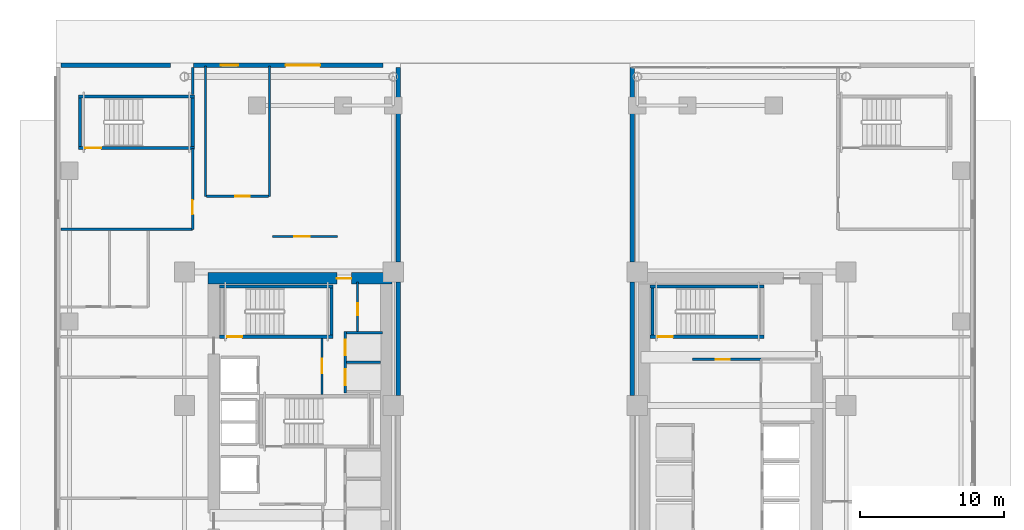
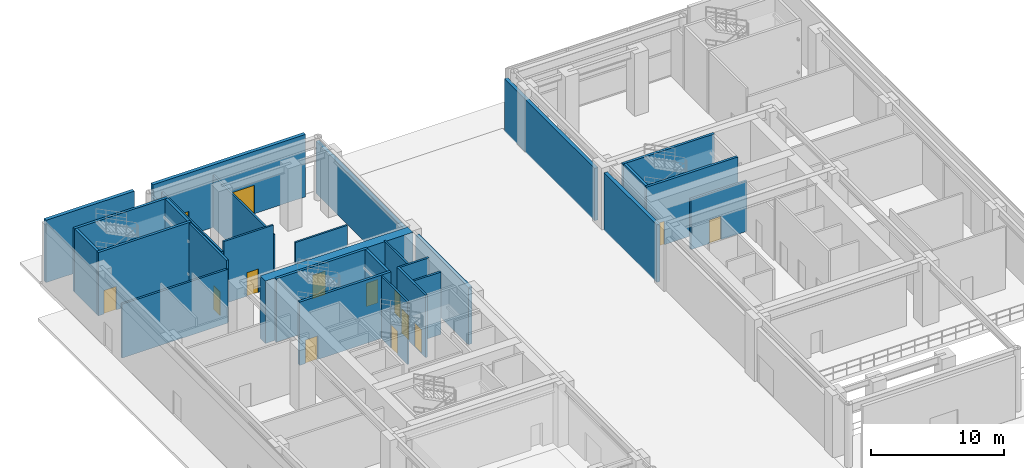
# One storey, part 7 of 17: 30 walls, 14 doors, 14 openings.
"""IFC4 building model written with IfcOpenShell, lengths in metres."""

from ifc_helpers import new_model, si_unit, direction, frame, frame_2d, origin, place, context, subcontext, project, spatial, rectangle, extrude, source, transform, mapped, material, layer, layer_set, type_object, element, fill, save


model = new_model("IFC4")

# Units and contexts
model_context = context("Model", 3, precision=1e-05, world=origin(), true_north=direction((0.0, 1.0)))
body_context = subcontext(model_context, "Body", "Model", "MODEL_VIEW")
ifc_project = project(units=[si_unit("LENGTHUNIT", "METRE"), si_unit("AREAUNIT", "SQUARE_METRE"), si_unit("VOLUMEUNIT", "CUBIC_METRE"), si_unit("PLANEANGLEUNIT", "RADIAN"), si_unit("MASSUNIT", "GRAM", prefix="KILO")], contexts=[model_context])

# Site, building, storey
site_placement = place(None, origin())
site = spatial("IfcSite", under=ifc_project, at=site_placement, CompositionType="ELEMENT")
building_placement = place(site_placement, origin())
building = spatial("IfcBuilding", under=site, at=building_placement, Name="Ocotamira Hotel", CompositionType="ELEMENT")
storey_placement = place(building_placement, origin())
storey = spatial("IfcBuildingStorey", under=building, at=storey_placement, Name="L01", CompositionType="ELEMENT", Elevation=0.0)

# Wall, opening, door
ifc_material_1 = material(Name="Concrete C60/75", Category="concrete")
ifc_layer_1 = layer(ifc_material_1, 0.800048828125)
ifc_layer_set_1 = layer_set([ifc_layer_1], Name="Concrete C60/75")
wall_type_1 = type_object("IfcWallType", Name="WL-CORE-800", PredefinedType="SHEAR", material=ifc_layer_set_1)
wall_1_placement = place(storey_placement, frame((10.60009765625, 37.0, 0.0), z_axis=(0.0, 0.0, 1.0), x_axis=(1.0, 0.0, 0.0)))
wall_1 = element("IfcWall", 1, at=wall_1_placement, inside=storey, type_object=wall_type_1, Name="L01 Shear Core Wall WCORE-N", PredefinedType="SHEAR", context=body_context, shape_type="SweptSolid", body=[
    extrude(rectangle(XDim=12.7998046875, YDim=0.800048828125, at=frame_2d((6.39990234375, 0.0))), origin(), (0.0, 0.0, 1.0), 5.7099609375),
])
opening_1_placement = place(wall_1_placement, frame((8.97998046875, 0.0, 0.0)))
opening_1 = element("IfcOpeningElement", 2, at=opening_1_placement, cuts=wall_1, Name="Opening D-FR2", PredefinedType="OPENING", context=body_context, shape_type="SweptSolid", body=[
    extrude(rectangle(XDim=1.0, YDim=2.14990234375, at=frame_2d((0.5, 1.074951171875))), frame((0.0, 0.41015625, 0.0), z_axis=(0.0, -1.0, 0.0), x_axis=(1.0, 0.0, 0.0)), (0.0, 0.0, 1.0), 0.820068359375),
])
ifc_material_2 = material(Name="Fire-rated acoustic timber-veneer door", Category="wood")
door_type_1 = type_object("IfcDoorType", Name="DR-FIRE-1000", OperationType="NOTDEFINED", PredefinedType="DOOR", material=ifc_material_2)
shared_shape_1 = source(origin(), body_context, "Body", "SweptSolid", [
    extrude(rectangle(XDim=1.0, YDim=2.14990234375, at=frame_2d((0.5, 1.074951171875))), frame((0.0, 0.02490234375, 0.0), z_axis=(0.0, -1.0, 0.0), x_axis=(1.0, 0.0, 0.0)), (0.0, 0.0, 1.0), 0.050048828125),
])
door_1_placement = place(opening_1_placement, origin())
door_1 = element("IfcDoor", 3, at=door_1_placement, inside=storey, type_object=door_type_1, Name="L01 Door ID-L01-WLOB-N-D [ID-L01-WLOB-N-D]", OperationType="SINGLE_SWING_RIGHT", OverallHeight=2.14990234375, OverallWidth=1.0, PredefinedType="DOOR", context=body_context, shape_type="MappedRepresentation", body=[
    mapped(shared_shape_1, transform((0.0, 0.0, 0.0), scale=1.0)),
])
fill(opening_1, door_1)

# Wall
ifc_material_3 = material(Name="Travertine-clad precast concrete C45/55", Category="masonry")
ifc_layer_2 = layer(ifc_material_3, 0.300048828125)
ifc_layer_set_2 = layer_set([ifc_layer_2], Name="Travertine-clad precast concrete C45/55")
wall_type_2 = type_object("IfcWallType", Name="WL-EXT-POD-300", PredefinedType="SOLIDWALL", material=ifc_layer_set_2)
wall_2_placement = place(storey_placement, frame((0.35009765625, 51.85009765625, 0.0), z_axis=(0.0, 0.0, 1.0), x_axis=(1.0, 0.0, 0.0)))
element("IfcWall", 4, at=wall_2_placement, inside=storey, type_object=wall_type_2, Name="L01 N-West Podium Wall", PredefinedType="SOLIDWALL", context=body_context, shape_type="SweptSolid", body=[
    extrude(rectangle(XDim=7.64990234375, YDim=0.300048828125, at=frame_2d((3.824951171875, 0.0))), origin(), (0.0, 0.0, 1.0), 5.7099609375),
])

# Wall, openings, doors
wall_3_placement = place(storey_placement, frame((9.60009765625, 51.85009765625, 0.0), z_axis=(0.0, 0.0, 1.0), x_axis=(1.0, 0.0, 0.0)))
wall_3 = element("IfcWall", 5, at=wall_3_placement, inside=storey, type_object=wall_type_2, Name="L01 N-West Entrance Portal Wall", PredefinedType="SOLIDWALL", context=body_context, shape_type="SweptSolid", body=[
    extrude(rectangle(XDim=13.199951171875, YDim=0.300048828125, at=frame_2d((6.60009765625, 0.0))), origin(), (0.0, 0.0, 1.0), 5.7099609375),
])
opening_2_placement = place(wall_3_placement, frame((6.39990234375, 0.0, 0.0)))
opening_2 = element("IfcOpeningElement", 6, at=opening_2_placement, cuts=wall_3, Name="Opening ED-1", PredefinedType="OPENING", context=body_context, shape_type="SweptSolid", body=[
    extrude(rectangle(XDim=2.39990234375, YDim=2.60009765625, at=frame_2d((1.199951171875, 1.300048828125))), frame((0.0, 0.16015625, 0.0), z_axis=(0.0, -1.0, 0.0), x_axis=(1.0, 0.0, 0.0)), (0.0, 0.0, 1.0), 0.320068359375),
])
opening_3_placement = place(wall_3_placement, frame((1.89990234375, 0.0, 0.0)))
opening_3 = element("IfcOpeningElement", 7, at=opening_3_placement, cuts=wall_3, Name="Opening ED-2", PredefinedType="OPENING", context=body_context, shape_type="SweptSolid", body=[
    extrude(rectangle(XDim=1.199951171875, YDim=2.199951171875, at=frame_2d((0.60009765625, 1.10009765625))), frame((0.0, 0.16015625, 0.0), z_axis=(0.0, -1.0, 0.0), x_axis=(1.0, 0.0, 0.0)), (0.0, 0.0, 1.0), 0.320068359375),
])
ifc_material_4 = material(Name="Anodised pale-metal aluminium and glass", Category="aluminium")
door_type_2 = type_object("IfcDoorType", Name="DR-ENT-2400", OperationType="NOTDEFINED", PredefinedType="DOOR", material=ifc_material_4)
shared_shape_2 = source(origin(), body_context, "Body", "SweptSolid", [
    extrude(rectangle(XDim=2.39990234375, YDim=2.60009765625, at=frame_2d((1.199951171875, 1.300048828125))), frame((0.0, 0.02490234375, 0.0), z_axis=(0.0, -1.0, 0.0), x_axis=(1.0, 0.0, 0.0)), (0.0, 0.0, 1.0), 0.050048828125),
])
door_2_placement = place(opening_2_placement, origin())
door_2 = element("IfcDoor", 8, at=door_2_placement, inside=storey, type_object=door_type_2, Name="L01 N Grand Lobby Entrance [ED-L01-MAIN-N]", OperationType="DOUBLE_DOOR_SINGLE_SWING", OverallHeight=2.60009765625, OverallWidth=2.39990234375, PredefinedType="DOOR", context=body_context, shape_type="MappedRepresentation", body=[
    mapped(shared_shape_2, transform((0.0, 0.0, 0.0), scale=1.0)),
])
fill(opening_2, door_2)
ifc_material_5 = material(Name="Insulated hollow metal steel door", Category="steel")
door_type_3 = type_object("IfcDoorType", Name="DR-EXIT-1200", OperationType="NOTDEFINED", PredefinedType="DOOR", material=ifc_material_5)
shared_shape_3 = source(origin(), body_context, "Body", "SweptSolid", [
    extrude(rectangle(XDim=1.199951171875, YDim=2.199951171875, at=frame_2d((0.60009765625, 1.10009765625))), frame((0.0, 0.02490234375, 0.0), z_axis=(0.0, -1.0, 0.0), x_axis=(1.0, 0.0, 0.0)), (0.0, 0.0, 1.0), 0.050048828125),
])
door_3_placement = place(opening_3_placement, origin())
door_3 = element("IfcDoor", 9, at=door_3_placement, inside=storey, type_object=door_type_3, Name="L01 Fire Command Center Exterior Entrance [ED-L01-FCC]", OperationType="SINGLE_SWING_RIGHT", OverallHeight=2.199951171875, OverallWidth=1.199951171875, PredefinedType="DOOR", context=body_context, shape_type="MappedRepresentation", body=[
    mapped(shared_shape_3, transform((0.0, 0.0, 0.0), scale=1.0)),
])
fill(opening_3, door_3)

# Walls
wall_4_placement = place(storey_placement, frame((23.85009765625, 38.14990234375, 0.0), z_axis=(0.0, 0.0, 1.0), x_axis=(0.0, 1.0, 0.0)))
element("IfcWall", 10, at=wall_4_placement, inside=storey, type_object=wall_type_2, Name="L01 Giant Arch North Portal Wall AW", PredefinedType="SOLIDWALL", context=body_context, shape_type="SweptSolid", body=[
    extrude(rectangle(XDim=13.550048828125, YDim=0.300048828125, at=frame_2d((6.77490234375, 0.0))), origin(), (0.0, 0.0, 1.0), 4.782958984375),
])
wall_5_placement = place(storey_placement, frame((23.85009765625, 28.85009765625, 0.0), z_axis=(0.0, 0.0, 1.0), x_axis=(0.0, 1.0, 0.0)))
element("IfcWall", 11, at=wall_5_placement, inside=storey, type_object=wall_type_2, Name="L01 Giant Arch Core Cheek Wall AW-2", PredefinedType="SOLIDWALL", context=body_context, shape_type="SweptSolid", body=[
    extrude(rectangle(XDim=7.89990234375, YDim=0.300048828125, at=frame_2d((3.949951171875, 0.0))), origin(), (0.0, 0.0, 1.0), 5.2529296875),
])
wall_6_placement = place(storey_placement, frame((40.14990234375, 38.14990234375, 0.0), z_axis=(0.0, 0.0, 1.0), x_axis=(0.0, 1.0, 0.0)))
element("IfcWall", 12, at=wall_6_placement, inside=storey, type_object=wall_type_2, Name="L01 Giant Arch North Portal Wall AE", PredefinedType="SOLIDWALL", context=body_context, shape_type="SweptSolid", body=[
    extrude(rectangle(XDim=13.550048828125, YDim=0.300048828125, at=frame_2d((6.77490234375, 0.0))), origin(), (0.0, 0.0, 1.0), 4.782958984375),
])
wall_7_placement = place(storey_placement, frame((40.14990234375, 28.85009765625, 0.0), z_axis=(0.0, 0.0, 1.0), x_axis=(0.0, 1.0, 0.0)))
element("IfcWall", 13, at=wall_7_placement, inside=storey, type_object=wall_type_2, Name="L01 Giant Arch Core Cheek Wall AE-2", PredefinedType="SOLIDWALL", context=body_context, shape_type="SweptSolid", body=[
    extrude(rectangle(XDim=7.89990234375, YDim=0.300048828125, at=frame_2d((3.949951171875, 0.0))), origin(), (0.0, 0.0, 1.0), 5.2529296875),
])

# Wall, opening, door
ifc_material_6 = material(Name="Acoustic double-layer fire gypsum board partition", Category="gypsum")
ifc_layer_3 = layer(ifc_material_6, 0.159912109375)
ifc_layer_set_3 = layer_set([ifc_layer_3], Name="Acoustic double-layer fire gypsum board partition")
wall_type_3 = type_object("IfcWallType", Name="WL-FIRE-160", PredefinedType="PARTITIONING", material=ifc_layer_set_3)
wall_8_placement = place(storey_placement, frame((18.530029296875, 28.89990234375, 0.0), z_axis=(0.0, 0.0, 1.0), x_axis=(0.0, 1.0, 0.0)))
wall_8 = element("IfcWall", 14, at=wall_8_placement, inside=storey, type_object=wall_type_3, Name="L01 Interior Wall PW-L01-FSAE2-E", PredefinedType="PARTITIONING", context=body_context, shape_type="SweptSolid", body=[
    extrude(rectangle(XDim=3.900146484375, YDim=0.159912109375, at=frame_2d((1.9501953125, 0.0))), origin(), (0.0, 0.0, 1.0), 5.7099609375),
])
opening_4_placement = place(wall_8_placement, frame((1.5, 0.0, 0.0)))
opening_4 = element("IfcOpeningElement", 15, at=opening_4_placement, cuts=wall_8, Name="Opening D-FR2", PredefinedType="OPENING", context=body_context, shape_type="SweptSolid", body=[
    extrude(rectangle(XDim=1.0, YDim=2.14990234375, at=frame_2d((0.5, 1.074951171875))), frame((0.0, 0.08984375, 0.0), z_axis=(0.0, -1.0, 0.0), x_axis=(1.0, 0.0, 0.0)), (0.0, 0.0, 1.0), 0.179931640625),
])
door_4_placement = place(opening_4_placement, origin())
door_4 = element("IfcDoor", 16, at=door_4_placement, inside=storey, type_object=door_type_1, Name="L01 Door ID-L01-FSAE2-D [ID-L01-FSAE2-D]", OperationType="SINGLE_SWING_RIGHT", OverallHeight=2.14990234375, OverallWidth=1.0, PredefinedType="DOOR", context=body_context, shape_type="MappedRepresentation", body=[
    mapped(shared_shape_1, transform((0.0, 0.0, 0.0), scale=1.0)),
])
fill(opening_4, door_4)

wall_9_placement = place(storey_placement, frame((10.5, 42.719970703125, 0.0), z_axis=(0.0, 0.0, 1.0), x_axis=(1.0, 0.0, 0.0)))
wall_9 = element("IfcWall", 17, at=wall_9_placement, inside=storey, type_object=wall_type_3, Name="L01 Interior Wall PW-L01-L01-FCC-S", PredefinedType="PARTITIONING", context=body_context, shape_type="SweptSolid", body=[
    extrude(rectangle(XDim=4.300048828125, YDim=0.159912109375, at=frame_2d((2.14990234375, 0.0))), origin(), (0.0, 0.0, 1.0), 5.7099609375),
])
opening_5_placement = place(wall_9_placement, frame((2.0, 0.0, 0.0)))
opening_5 = element("IfcOpeningElement", 18, at=opening_5_placement, cuts=wall_9, Name="Opening D-FR2", PredefinedType="OPENING", context=body_context, shape_type="SweptSolid", body=[
    extrude(rectangle(XDim=1.0, YDim=2.14990234375, at=frame_2d((0.5, 1.074951171875))), frame((0.0, 0.08984375, 0.0), z_axis=(0.0, -1.0, 0.0), x_axis=(1.0, 0.0, 0.0)), (0.0, 0.0, 1.0), 0.179931640625),
])
door_5_placement = place(opening_5_placement, origin())
door_5 = element("IfcDoor", 19, at=door_5_placement, inside=storey, type_object=door_type_1, Name="L01 Door ID-L01-L01-FCC-D [ID-L01-L01-FCC-D]", OperationType="SINGLE_SWING_LEFT", OverallHeight=2.14990234375, OverallWidth=1.0, PredefinedType="DOOR", context=body_context, shape_type="MappedRepresentation", body=[
    mapped(shared_shape_1, transform((0.0, 0.0, 0.0), scale=1.0)),
])
fill(opening_5, door_5)

# Walls
for number, where, z_axis, x_axis, name in (
    (20, (10.419921875, 42.719970703125, 0.0), (0.0, 0.0, 1.0), (0.0, 1.0, 0.0), "L01 Interior Wall PW-L01-L01-FCC-W"),
    (21, (14.8798828125, 42.719970703125, 0.0), (0.0, 0.0, 1.0), (0.0, 1.0, 0.0), "L01 Interior Wall PW-L01-L01-FCC-E"),
):
    element("IfcWall", number, at=place(storey_placement, frame(where, z_axis=z_axis, x_axis=x_axis)), inside=storey, type_object=wall_type_3, Name=name, PredefinedType="PARTITIONING", context=body_context, shape_type="SweptSolid", body=[
        extrude(rectangle(XDim=9.080078125, YDim=0.159912109375, at=frame_2d((4.5400390625, 0.0))), origin(), (0.0, 0.0, 1.0), 4.782958984375),
    ])

# Wall, opening, door
ifc_material_7 = material(Name="Acoustic hospitality gypsum board partition", Category="gypsum")
ifc_layer_4 = layer(ifc_material_7, 0.14208984375)
ifc_layer_set_4 = layer_set([ifc_layer_4], Name="Acoustic hospitality gypsum board partition")
wall_type_4 = type_object("IfcWallType", Name="WL-PART-142", PredefinedType="PARTITIONING", material=ifc_layer_set_4)
wall_10_placement = place(storey_placement, frame((21.02001953125, 33.280029296875, 0.0), z_axis=(0.0, 0.0, 1.0), x_axis=(0.0, 1.0, 0.0)))
wall_10 = element("IfcWall", 22, at=wall_10_placement, inside=storey, type_object=wall_type_4, Name="L01 Interior Wall PW-L01-WC-NE-W", PredefinedType="PARTITIONING", context=body_context, shape_type="SweptSolid", body=[
    extrude(rectangle(XDim=3.469970703125, YDim=0.14208984375, at=frame_2d((1.73486328125, 0.0))), origin(), (0.0, 0.0, 1.0), 5.7099609375),
])
opening_6_placement = place(wall_10_placement, frame((1.14990234375, 0.0, 0.0)))
opening_6 = element("IfcOpeningElement", 23, at=opening_6_placement, cuts=wall_10, Name="Opening D-SV1", PredefinedType="OPENING", context=body_context, shape_type="SweptSolid", body=[
    extrude(rectangle(XDim=0.840087890625, YDim=2.10009765625, at=frame_2d((0.419921875, 1.050048828125))), frame((0.0, 0.0810546875, 0.0), z_axis=(0.0, -1.0, 0.0), x_axis=(1.0, 0.0, 0.0)), (0.0, 0.0, 1.0), 0.162109375),
])
ifc_material_8 = material(Name="Fire-rated painted steel service door", Category="steel")
door_type_4 = type_object("IfcDoorType", Name="DR-SERV-840", OperationType="NOTDEFINED", PredefinedType="DOOR", material=ifc_material_8)
shared_shape_4 = source(origin(), body_context, "Body", "SweptSolid", [
    extrude(rectangle(XDim=0.840087890625, YDim=2.10009765625, at=frame_2d((0.419921875, 1.050048828125))), frame((0.0, 0.02490234375, 0.0), z_axis=(0.0, -1.0, 0.0), x_axis=(1.0, 0.0, 0.0)), (0.0, 0.0, 1.0), 0.050048828125),
])
door_6_placement = place(opening_6_placement, origin())
door_6 = element("IfcDoor", 24, at=door_6_placement, inside=storey, type_object=door_type_4, Name="L01 Door ID-L01-WC-NE-D [ID-L01-WC-NE-D]", OperationType="SINGLE_SWING_LEFT", OverallHeight=2.10009765625, OverallWidth=0.840087890625, PredefinedType="DOOR", context=body_context, shape_type="MappedRepresentation", body=[
    mapped(shared_shape_4, transform((0.0, 0.0, 0.0), scale=1.0)),
])
fill(opening_6, door_6)

ifc_layer_5 = layer(ifc_material_7, 0.14990234375)
ifc_layer_set_5 = layer_set([ifc_layer_5], Name="Acoustic hospitality gypsum board partition")
wall_type_5 = type_object("IfcWallType", Name="WL-PART-150", PredefinedType="PARTITIONING", material=ifc_layer_set_5)
wall_11_placement = place(storey_placement, frame((15.10009765625, 39.919921875, 0.0), z_axis=(0.0, 0.0, 1.0), x_axis=(1.0, 0.0, 0.0)))
wall_11 = element("IfcWall", 25, at=wall_11_placement, inside=storey, type_object=wall_type_5, Name="L01 Interior Wall PW-L01-L01-RET1-S", PredefinedType="PARTITIONING", context=body_context, shape_type="SweptSolid", body=[
    extrude(rectangle(XDim=4.5, YDim=0.14990234375, at=frame_2d((2.25, 0.0))), origin(), (0.0, 0.0, 1.0), 5.7099609375),
])
opening_7_placement = place(wall_11_placement, frame((1.5, 0.0, 0.0)))
opening_7 = element("IfcOpeningElement", 26, at=opening_7_placement, cuts=wall_11, Name="Opening D-FR1", PredefinedType="OPENING", context=body_context, shape_type="SweptSolid", body=[
    extrude(rectangle(XDim=1.10009765625, YDim=2.14990234375, at=frame_2d((0.550048828125, 1.074951171875))), frame((0.0, 0.0849609375, 0.0), z_axis=(0.0, -1.0, 0.0), x_axis=(1.0, 0.0, 0.0)), (0.0, 0.0, 1.0), 0.169921875),
])
door_type_5 = type_object("IfcDoorType", Name="DR-FIRE-1100", OperationType="NOTDEFINED", PredefinedType="DOOR", material=ifc_material_2)
shared_shape_5 = source(origin(), body_context, "Body", "SweptSolid", [
    extrude(rectangle(XDim=1.10009765625, YDim=2.14990234375, at=frame_2d((0.550048828125, 1.074951171875))), frame((0.0, 0.02490234375, 0.0), z_axis=(0.0, -1.0, 0.0), x_axis=(1.0, 0.0, 0.0)), (0.0, 0.0, 1.0), 0.050048828125),
])
door_7_placement = place(opening_7_placement, origin())
door_7 = element("IfcDoor", 27, at=door_7_placement, inside=storey, type_object=door_type_5, Name="L01 Door ID-L01-L01-RET1-D [ID-L01-L01-RET1-D]", OperationType="SINGLE_SWING_RIGHT", OverallHeight=2.14990234375, OverallWidth=1.10009765625, PredefinedType="DOOR", context=body_context, shape_type="MappedRepresentation", body=[
    mapped(shared_shape_5, transform((0.0, 0.0, 0.0), scale=1.0)),
])
fill(opening_7, door_7)

# Wall, openings, doors
ifc_material_9 = material(Name="Fire-rated gypsum shaftliner board assembly", Category="gypsum")
ifc_layer_6 = layer(ifc_material_9, 0.179931640625)
ifc_layer_set_6 = layer_set([ifc_layer_6], Name="Fire-rated gypsum shaftliner board assembly")
wall_type_6 = type_object("IfcWallType", Name="WL-SHAFT-180", PredefinedType="SOLIDWALL", material=ifc_layer_set_6)
wall_12_placement = place(storey_placement, frame((20.159912109375, 29.0, 0.0), z_axis=(0.0, 0.0, 1.0), x_axis=(0.0, 1.0, 0.0)))
wall_12 = element("IfcWall", 28, at=wall_12_placement, inside=storey, type_object=wall_type_6, Name="L01 Interior Wall PW-L01-LFW-BANK-obs-F", PredefinedType="SOLIDWALL", context=body_context, shape_type="SweptSolid", body=[
    extrude(rectangle(XDim=4.2900390625, YDim=0.179931640625, at=frame_2d((2.14501953125, 0.0))), origin(), (0.0, 0.0, 1.0), 5.7099609375),
])
opening_8_placement = place(wall_12_placement, frame((0.554931640625, 0.0, 0.0)))
opening_8 = element("IfcOpeningElement", 29, at=opening_8_placement, cuts=wall_12, Name="Opening LD-LF-OBS1", PredefinedType="OPENING", context=body_context, shape_type="SweptSolid", body=[
    extrude(rectangle(XDim=1.10009765625, YDim=2.199951171875, at=frame_2d((0.550048828125, 1.10009765625))), frame((0.0, 0.10009765625, 0.0), z_axis=(0.0, -1.0, 0.0), x_axis=(1.0, 0.0, 0.0)), (0.0, 0.0, 1.0), 0.199951171875),
])
opening_9_placement = place(wall_12_placement, frame((2.635009765625, 0.0, 0.0)))
opening_9 = element("IfcOpeningElement", 30, at=opening_9_placement, cuts=wall_12, Name="Opening LD-LF-OBS2", PredefinedType="OPENING", context=body_context, shape_type="SweptSolid", body=[
    extrude(rectangle(XDim=1.10009765625, YDim=2.199951171875, at=frame_2d((0.550048828125, 1.10009765625))), frame((0.0, 0.10009765625, 0.0), z_axis=(0.0, -1.0, 0.0), x_axis=(1.0, 0.0, 0.0)), (0.0, 0.0, 1.0), 0.199951171875),
])
ifc_material_10 = material(Name="Brushed pale-metal stainless elevator landing door", Category="steel")
door_type_6 = type_object("IfcDoorType", Name="DR-LIFT-1100", OperationType="NOTDEFINED", PredefinedType="DOOR", material=ifc_material_10)
shared_shape_6 = source(origin(), body_context, "Body", "SweptSolid", [
    extrude(rectangle(XDim=1.10009765625, YDim=2.199951171875, at=frame_2d((0.550048828125, 1.10009765625))), frame((0.0, 0.02490234375, 0.0), z_axis=(0.0, -1.0, 0.0), x_axis=(1.0, 0.0, 0.0)), (0.0, 0.0, 1.0), 0.050048828125),
])
door_8_placement = place(opening_8_placement, origin())
door_8 = element("IfcDoor", 31, at=door_8_placement, inside=storey, type_object=door_type_6, Name="L01 Landing Door LD-LF-OBS1 [ID-L01-LD-LF-OBS1]", OperationType="DOUBLE_DOOR_SLIDING", OverallHeight=2.199951171875, OverallWidth=1.10009765625, PredefinedType="DOOR", context=body_context, shape_type="MappedRepresentation", body=[
    mapped(shared_shape_6, transform((0.0, 0.0, 0.0), scale=1.0)),
])
fill(opening_8, door_8)
door_9_placement = place(opening_9_placement, origin())
door_9 = element("IfcDoor", 32, at=door_9_placement, inside=storey, type_object=door_type_6, Name="L01 Landing Door LD-LF-OBS2 [ID-L01-LD-LF-OBS2]", OperationType="DOUBLE_DOOR_SLIDING", OverallHeight=2.199951171875, OverallWidth=1.10009765625, PredefinedType="DOOR", context=body_context, shape_type="MappedRepresentation", body=[
    mapped(shared_shape_6, transform((0.0, 0.0, 0.0), scale=1.0)),
])
fill(opening_9, door_9)

# Walls
wall_13_placement = place(storey_placement, frame((20.25, 33.199951171875, 0.0), z_axis=(0.0, 0.0, 1.0), x_axis=(1.0, 0.0, 0.0)))
element("IfcWall", 33, at=wall_13_placement, inside=storey, type_object=wall_type_6, Name="L01 Interior Wall PW-L01-LFW-BANK-obs-N", PredefinedType="SOLIDWALL", context=body_context, shape_type="SweptSolid", body=[
    extrude(rectangle(XDim=2.5, YDim=0.179931640625, at=frame_2d((1.25, 0.0))), origin(), (0.0, 0.0, 1.0), 5.7099609375),
])
wall_14_placement = place(storey_placement, frame((20.25, 31.14501953125, 0.0), z_axis=(0.0, 0.0, 1.0), x_axis=(1.0, 0.0, 0.0)))
element("IfcWall", 34, at=wall_14_placement, inside=storey, type_object=wall_type_6, Name="L01 Interior Wall PW-L01-LFW-DIV-LF-OBS1", PredefinedType="SOLIDWALL", context=body_context, shape_type="SweptSolid", body=[
    extrude(rectangle(XDim=2.360107421875, YDim=0.179931640625, at=frame_2d((1.18017578125, 0.0))), origin(), (0.0, 0.0, 1.0), 5.7099609375),
])

# Wall, opening, door
wall_15_placement = place(storey_placement, frame((44.35009765625, 31.360107421875, 0.0), z_axis=(0.0, 0.0, 1.0), x_axis=(1.0, 0.0, 0.0)))
wall_15 = element("IfcWall", 35, at=wall_15_placement, inside=storey, type_object=wall_type_6, Name="L01 Interior Wall PW-L01-EXP4-VS", PredefinedType="SOLIDWALL", context=body_context, shape_type="SweptSolid", body=[
    extrude(rectangle(XDim=4.849853515625, YDim=0.179931640625, at=frame_2d((2.4248046875, 0.0))), origin(), (0.0, 0.0, 1.0), 4.610107421875),
])
opening_10_placement = place(wall_15_placement, frame((1.60009765625, 0.0, 0.0)))
opening_10 = element("IfcOpeningElement", 36, at=opening_10_placement, cuts=wall_15, Name="Opening D-FR2", PredefinedType="OPENING", context=body_context, shape_type="SweptSolid", body=[
    extrude(rectangle(XDim=1.0, YDim=2.14990234375, at=frame_2d((0.5, 1.074951171875))), frame((0.0, 0.10009765625, 0.0), z_axis=(0.0, -1.0, 0.0), x_axis=(1.0, 0.0, 0.0)), (0.0, 0.0, 1.0), 0.199951171875),
])
door_10_placement = place(opening_10_placement, origin())
door_10 = element("IfcDoor", 37, at=door_10_placement, inside=storey, type_object=door_type_1, Name="L01 Door ID-L01-EXP4-VD [ID-L01-EXP4-VD]", OperationType="SINGLE_SWING_RIGHT", OverallHeight=2.14990234375, OverallWidth=1.0, PredefinedType="DOOR", context=body_context, shape_type="MappedRepresentation", body=[
    mapped(shared_shape_1, transform((0.0, 0.0, 0.0), scale=1.0)),
])
fill(opening_10, door_10)

# Wall
wall_16_placement = place(storey_placement, frame((0.35009765625, 40.409912109375, 0.0), z_axis=(0.0, 0.0, 1.0), x_axis=(1.0, 0.0, 0.0)))
element("IfcWall", 38, at=wall_16_placement, inside=storey, type_object=wall_type_6, Name="L01 Interior Wall PW-L01-L01-EXP5-S", PredefinedType="SOLIDWALL", context=body_context, shape_type="SweptSolid", body=[
    extrude(rectangle(XDim=9.169921875, YDim=0.179931640625, at=frame_2d((4.5849609375, 0.0))), origin(), (0.0, 0.0, 1.0), 4.930908203125),
])

# Wall, opening, door
wall_17_placement = place(storey_placement, frame((9.52001953125, 40.409912109375, 0.0), z_axis=(0.0, 0.0, 1.0), x_axis=(0.0, 1.0, 0.0)))
wall_17 = element("IfcWall", 39, at=wall_17_placement, inside=storey, type_object=wall_type_6, Name="L01 Interior Wall PW-L01-L01-EXP5-E", PredefinedType="SOLIDWALL", context=body_context, shape_type="SweptSolid", body=[
    extrude(rectangle(XDim=5.64013671875, YDim=0.179931640625, at=frame_2d((2.820068359375, 0.0))), origin(), (0.0, 0.0, 1.0), 5.7099609375),
])
opening_11_placement = place(wall_17_placement, frame((1.050048828125, 0.0, 0.0)))
opening_11 = element("IfcOpeningElement", 40, at=opening_11_placement, cuts=wall_17, Name="Opening D-FR2", PredefinedType="OPENING", context=body_context, shape_type="SweptSolid", body=[
    extrude(rectangle(XDim=1.0, YDim=2.14990234375, at=frame_2d((0.5, 1.074951171875))), frame((0.0, 0.10009765625, 0.0), z_axis=(0.0, -1.0, 0.0), x_axis=(1.0, 0.0, 0.0)), (0.0, 0.0, 1.0), 0.199951171875),
])
door_11_placement = place(opening_11_placement, origin())
door_11 = element("IfcDoor", 41, at=door_11_placement, inside=storey, type_object=door_type_1, Name="L01 Door ID-L01-L01-EXP5-CD [ID-L01-L01-EXP5-CD]", OperationType="SINGLE_SWING_LEFT", OverallHeight=2.14990234375, OverallWidth=1.0, PredefinedType="DOOR", context=body_context, shape_type="MappedRepresentation", body=[
    mapped(shared_shape_1, transform((0.0, 0.0, 0.0), scale=1.0)),
])
fill(opening_11, door_11)

# Wall
wall_18_placement = place(storey_placement, frame((9.52001953125, 49.820068359375, 0.0), z_axis=(0.0, 0.0, 1.0), x_axis=(0.0, 1.0, 0.0)))
element("IfcWall", 42, at=wall_18_placement, inside=storey, type_object=wall_type_6, Name="L01 Interior Wall PW-L01-L01-EXP5-EN", PredefinedType="SOLIDWALL", context=body_context, shape_type="SweptSolid", body=[
    extrude(rectangle(XDim=1.8798828125, YDim=0.179931640625, at=frame_2d((0.93994140625, 0.0))), origin(), (0.0, 0.0, 1.0), 4.782958984375),
])

# Wall, opening, door
ifc_material_11 = material(Name="Concrete C50/60", Category="concrete")
ifc_layer_7 = layer(ifc_material_11, 0.219970703125)
ifc_layer_set_7 = layer_set([ifc_layer_7], Name="Concrete C50/60")
wall_type_7 = type_object("IfcWallType", Name="WL-STAIR-220", PredefinedType="SHEAR", material=ifc_layer_set_7)
wall_19_placement = place(storey_placement, frame((11.39990234375, 32.93994140625, 0.0), z_axis=(0.0, 0.0, 1.0), x_axis=(1.0, 0.0, 0.0)))
wall_19 = element("IfcWall", 43, at=wall_19_placement, inside=storey, type_object=wall_type_7, Name="L01 Stair Shaft Structural Wall ST-2-S", PredefinedType="SHEAR", context=body_context, shape_type="SweptSolid", body=[
    extrude(rectangle(XDim=7.91015625, YDim=0.219970703125, at=frame_2d((3.955078125, 0.0))), origin(), (0.0, 0.0, 1.0), 5.800048828125),
])
opening_12_placement = place(wall_19_placement, frame((0.52001953125, 0.0, 0.0)))
opening_12 = element("IfcOpeningElement", 44, at=opening_12_placement, cuts=wall_19, Name="Opening D-ST2", PredefinedType="OPENING", context=body_context, shape_type="SweptSolid", body=[
    extrude(rectangle(XDim=1.050048828125, YDim=2.14990234375, at=frame_2d((0.52490234375, 1.074951171875))), frame((0.0, 0.1201171875, 0.0), z_axis=(0.0, -1.0, 0.0), x_axis=(1.0, 0.0, 0.0)), (0.0, 0.0, 1.0), 0.239990234375),
])
ifc_material_12 = material(Name="Insulated painted hollow-metal fire exit door", Category="steel")
door_type_7 = type_object("IfcDoorType", Name="DR-STAIR-1050", OperationType="NOTDEFINED", PredefinedType="DOOR", material=ifc_material_12)
shared_shape_7 = source(origin(), body_context, "Body", "SweptSolid", [
    extrude(rectangle(XDim=1.050048828125, YDim=2.14990234375, at=frame_2d((0.52490234375, 1.074951171875))), frame((0.0, 0.02490234375, 0.0), z_axis=(0.0, -1.0, 0.0), x_axis=(1.0, 0.0, 0.0)), (0.0, 0.0, 1.0), 0.050048828125),
])
door_12_placement = place(opening_12_placement, origin())
door_12 = element("IfcDoor", 45, at=door_12_placement, inside=storey, type_object=door_type_7, Name="L01 Door ID-L01-STD-ST-2 [ID-L01-STD-ST-2]", OperationType="SINGLE_SWING_LEFT", OverallHeight=2.14990234375, OverallWidth=1.050048828125, PredefinedType="DOOR", context=body_context, shape_type="MappedRepresentation", body=[
    mapped(shared_shape_7, transform((0.0, 0.0, 0.0), scale=1.0)),
])
fill(opening_12, door_12)

# Walls
wall_20_placement = place(storey_placement, frame((11.39990234375, 36.43994140625, 0.0), z_axis=(0.0, 0.0, 1.0), x_axis=(1.0, 0.0, 0.0)))
element("IfcWall", 46, at=wall_20_placement, inside=storey, type_object=wall_type_7, Name="L01 Stair Shaft Structural Wall ST-2-N", PredefinedType="SHEAR", context=body_context, shape_type="SweptSolid", body=[
    extrude(rectangle(XDim=7.91015625, YDim=0.219970703125, at=frame_2d((3.955078125, 0.0))), origin(), (0.0, 0.0, 1.0), 5.800048828125),
])
wall_21_placement = place(storey_placement, frame((19.199951171875, 33.050048828125, 0.0), z_axis=(0.0, 0.0, 1.0), x_axis=(0.0, 1.0, 0.0)))
element("IfcWall", 47, at=wall_21_placement, inside=storey, type_object=wall_type_7, Name="L01 Stair Shaft Structural Wall ST-2-E", PredefinedType="SHEAR", context=body_context, shape_type="SweptSolid", body=[
    extrude(rectangle(XDim=3.280029296875, YDim=0.219970703125, at=frame_2d((1.64013671875, 0.0))), origin(), (0.0, 0.0, 1.0), 5.800048828125),
])

# Wall, opening, door
wall_22_placement = place(storey_placement, frame((41.39990234375, 32.93994140625, 0.0), z_axis=(0.0, 0.0, 1.0), x_axis=(1.0, 0.0, 0.0)))
wall_22 = element("IfcWall", 48, at=wall_22_placement, inside=storey, type_object=wall_type_7, Name="L01 Stair Shaft Structural Wall ST-4-S", PredefinedType="SHEAR", context=body_context, shape_type="SweptSolid", body=[
    extrude(rectangle(XDim=7.91015625, YDim=0.219970703125, at=frame_2d((3.955078125, 0.0))), origin(), (0.0, 0.0, 1.0), 5.800048828125),
])
opening_13_placement = place(wall_22_placement, frame((0.52001953125, 0.0, 0.0)))
opening_13 = element("IfcOpeningElement", 49, at=opening_13_placement, cuts=wall_22, Name="Opening D-ST2", PredefinedType="OPENING", context=body_context, shape_type="SweptSolid", body=[
    extrude(rectangle(XDim=1.050048828125, YDim=2.14990234375, at=frame_2d((0.52490234375, 1.074951171875))), frame((0.0, 0.1201171875, 0.0), z_axis=(0.0, -1.0, 0.0), x_axis=(1.0, 0.0, 0.0)), (0.0, 0.0, 1.0), 0.239990234375),
])
door_13_placement = place(opening_13_placement, origin())
door_13 = element("IfcDoor", 50, at=door_13_placement, inside=storey, type_object=door_type_7, Name="L01 Door ID-L01-STD-ST-4 [ID-L01-STD-ST-4]", OperationType="SINGLE_SWING_LEFT", OverallHeight=2.14990234375, OverallWidth=1.050048828125, PredefinedType="DOOR", context=body_context, shape_type="MappedRepresentation", body=[
    mapped(shared_shape_7, transform((0.0, 0.0, 0.0), scale=1.0)),
])
fill(opening_13, door_13)

# Walls
wall_23_placement = place(storey_placement, frame((41.39990234375, 36.43994140625, 0.0), z_axis=(0.0, 0.0, 1.0), x_axis=(1.0, 0.0, 0.0)))
element("IfcWall", 51, at=wall_23_placement, inside=storey, type_object=wall_type_7, Name="L01 Stair Shaft Structural Wall ST-4-N", PredefinedType="SHEAR", context=body_context, shape_type="SweptSolid", body=[
    extrude(rectangle(XDim=7.91015625, YDim=0.219970703125, at=frame_2d((3.955078125, 0.0))), origin(), (0.0, 0.0, 1.0), 5.800048828125),
])
wall_24_placement = place(storey_placement, frame((41.56005859375, 33.050048828125, 0.0), z_axis=(0.0, 0.0, 1.0), x_axis=(0.0, 1.0, 0.0)))
element("IfcWall", 52, at=wall_24_placement, inside=storey, type_object=wall_type_7, Name="L01 Stair Shaft Structural Wall ST-4-W", PredefinedType="SHEAR", context=body_context, shape_type="SweptSolid", body=[
    extrude(rectangle(XDim=3.280029296875, YDim=0.219970703125, at=frame_2d((1.64013671875, 0.0))), origin(), (0.0, 0.0, 1.0), 5.800048828125),
])

# Wall, opening, door
wall_25_placement = place(storey_placement, frame((1.580078125, 46.090087890625, 0.0), z_axis=(0.0, 0.0, 1.0), x_axis=(1.0, 0.0, 0.0)))
wall_25 = element("IfcWall", 53, at=wall_25_placement, inside=storey, type_object=wall_type_7, Name="L01 Stair Shaft Structural Wall ST-5-S", PredefinedType="SHEAR", context=body_context, shape_type="SweptSolid", body=[
    extrude(rectangle(XDim=8.059814453125, YDim=0.219970703125, at=frame_2d((4.02978515625, 0.0))), origin(), (0.0, 0.0, 1.0), 5.800048828125),
])
opening_14_placement = place(wall_25_placement, frame((0.469970703125, 0.0, 0.0)))
opening_14 = element("IfcOpeningElement", 54, at=opening_14_placement, cuts=wall_25, Name="Opening D-ST1", PredefinedType="OPENING", context=body_context, shape_type="SweptSolid", body=[
    extrude(rectangle(XDim=1.10009765625, YDim=2.14990234375, at=frame_2d((0.550048828125, 1.074951171875))), frame((0.0, 0.1201171875, 0.0), z_axis=(0.0, -1.0, 0.0), x_axis=(1.0, 0.0, 0.0)), (0.0, 0.0, 1.0), 0.239990234375),
])
door_type_8 = type_object("IfcDoorType", Name="DR-STAIR-1100", OperationType="NOTDEFINED", PredefinedType="DOOR", material=ifc_material_12)
door_14_placement = place(opening_14_placement, origin())
door_14 = element("IfcDoor", 55, at=door_14_placement, inside=storey, type_object=door_type_8, Name="L01 Door ID-L01-STD-ST-5 [ID-L01-STD-ST-5]", OperationType="SINGLE_SWING_RIGHT", OverallHeight=2.14990234375, OverallWidth=1.10009765625, PredefinedType="DOOR", context=body_context, shape_type="MappedRepresentation", body=[
    mapped(shared_shape_5, transform((0.0, 0.0, 0.0), scale=1.0)),
])
fill(opening_14, door_14)

# Walls
wall_26_placement = place(storey_placement, frame((1.580078125, 49.669921875, 0.0), z_axis=(0.0, 0.0, 1.0), x_axis=(1.0, 0.0, 0.0)))
element("IfcWall", 56, at=wall_26_placement, inside=storey, type_object=wall_type_7, Name="L01 Stair Shaft Structural Wall ST-5-N", PredefinedType="SHEAR", context=body_context, shape_type="SweptSolid", body=[
    extrude(rectangle(XDim=8.059814453125, YDim=0.219970703125, at=frame_2d((4.02978515625, 0.0))), origin(), (0.0, 0.0, 1.0), 5.800048828125),
])
for number, where, z_axis, x_axis, name in (
    (57, (1.68994140625, 46.199951171875, 0.0), (0.0, 0.0, 1.0), (0.0, 1.0, 0.0), "L01 Stair Shaft Structural Wall ST-5-W"),
    (58, (9.530029296875, 46.199951171875, 0.0), (0.0, 0.0, 1.0), (0.0, 1.0, 0.0), "L01 Stair Shaft Structural Wall ST-5-E"),
):
    element("IfcWall", number, at=place(storey_placement, frame(where, z_axis=z_axis, x_axis=x_axis)), inside=storey, type_object=wall_type_7, Name=name, PredefinedType="SHEAR", context=body_context, shape_type="SweptSolid", body=[
        extrude(rectangle(XDim=3.360107421875, YDim=0.219970703125, at=frame_2d((1.68017578125, 0.0))), origin(), (0.0, 0.0, 1.0), 5.800048828125),
    ])

save(model, "model.ifc")
